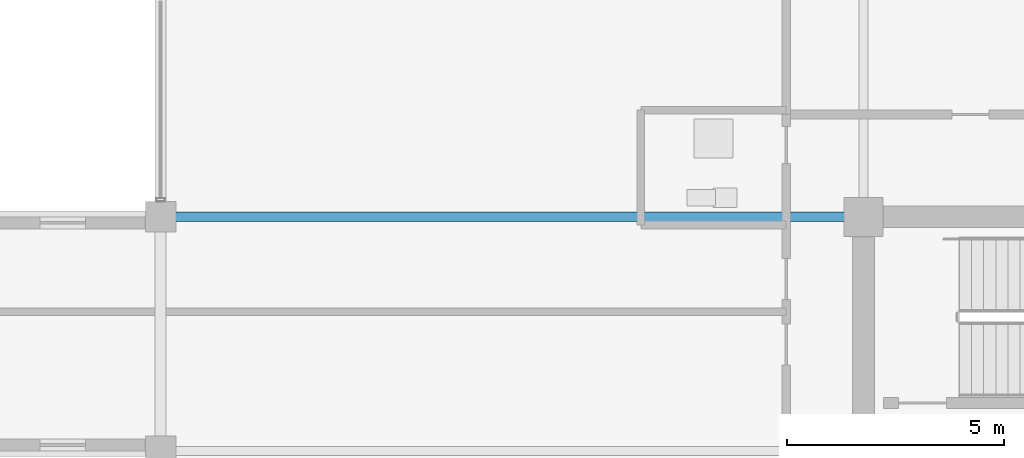
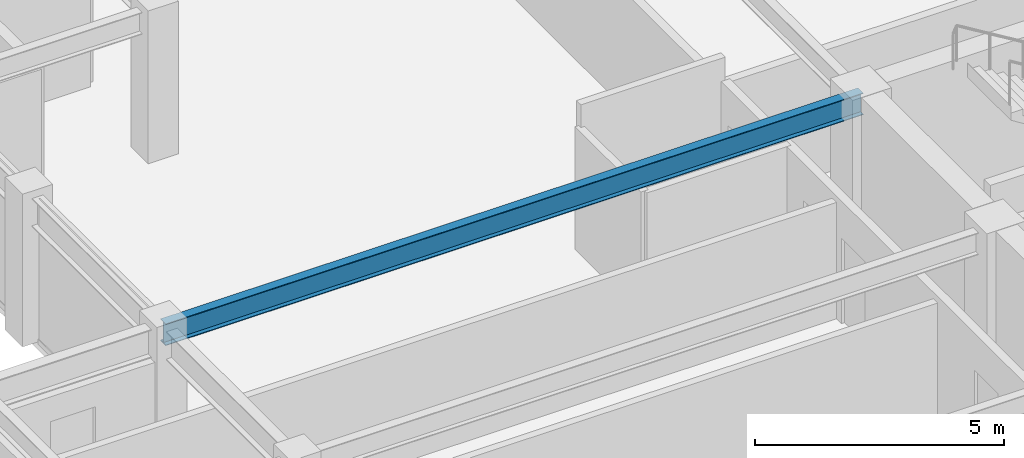
# One storey, part 14 of 31: 1 beam.
"""IFC4 building model written with IfcOpenShell, lengths in metres."""

from ifc_helpers import new_model, si_unit, direction, frame, origin, origin_2d, place, context, subcontext, project, spatial, i_section, extrude, material, material_profile, profile_set, type_object, element, save


model = new_model("IFC4")

# Units and contexts
model_context = context("Model", 3, precision=1e-05, world=origin(), true_north=direction((0.0, 1.0)))
body_context = subcontext(model_context, "Body", "Model", "MODEL_VIEW")
ifc_project = project(units=[si_unit("LENGTHUNIT", "METRE"), si_unit("AREAUNIT", "SQUARE_METRE"), si_unit("VOLUMEUNIT", "CUBIC_METRE"), si_unit("PLANEANGLEUNIT", "RADIAN"), si_unit("MASSUNIT", "GRAM", prefix="KILO")], contexts=[model_context])

# Site, building, storey
site_placement = place(None, origin())
site = spatial("IfcSite", under=ifc_project, at=site_placement, CompositionType="ELEMENT")
building_placement = place(site_placement, origin())
building = spatial("IfcBuilding", under=site, at=building_placement, Name="Surkhivell Harbour Commons", CompositionType="ELEMENT")
storey_placement = place(building_placement, frame((0.0, 0.0, 262.5)))
storey = spatial("IfcBuildingStorey", under=building, at=storey_placement, Name="L68", CompositionType="ELEMENT", Elevation=262.5)

# Beam
ifc_material = material(Name="Steel S355", Category="steel")
ifc_material_profile = material_profile(ifc_material, i_section(OverallWidth=0.2099609375, OverallDepth=0.537109375, WebThickness=0.0107421875, FlangeThickness=0.017333984375, at=origin_2d()), Name="UB533x210x101")
ifc_profile_set = profile_set([ifc_material_profile], Name="Steel S355")
beam_type = type_object("IfcBeamType", Name="BM-GRD-533B", PredefinedType="BEAM", material=ifc_profile_set)
beam_placement = place(storey_placement, frame((-27.0, 10.800048828125, 3.301513671875), z_axis=(1.0, 0.0, 0.0), x_axis=(0.0, 1.0, 0.0)))
element("IfcBeam", 1, at=beam_placement, inside=storey, type_object=beam_type, Name="L68 Cantilever Back-Span Girder (-27.0,10.8)", PredefinedType="BEAM", context=body_context, shape_type="SweptSolid", body=[
    extrude(i_section(OverallWidth=0.2099609375, OverallDepth=0.537109375, WebThickness=0.0107421875, FlangeThickness=0.017333984375, at=origin_2d()), origin(), (0.0, 0.0, 1.0), 16.199951171875),
])

save(model, "model.ifc")
